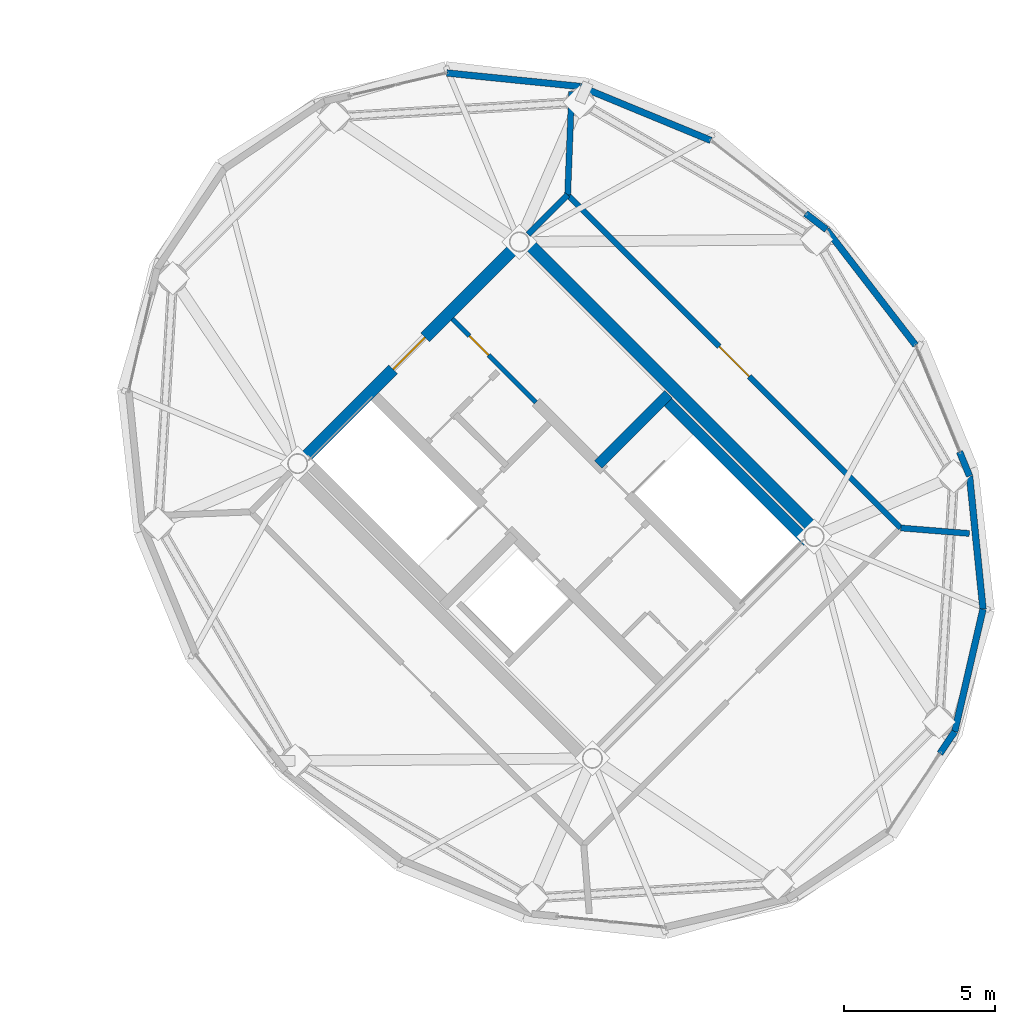
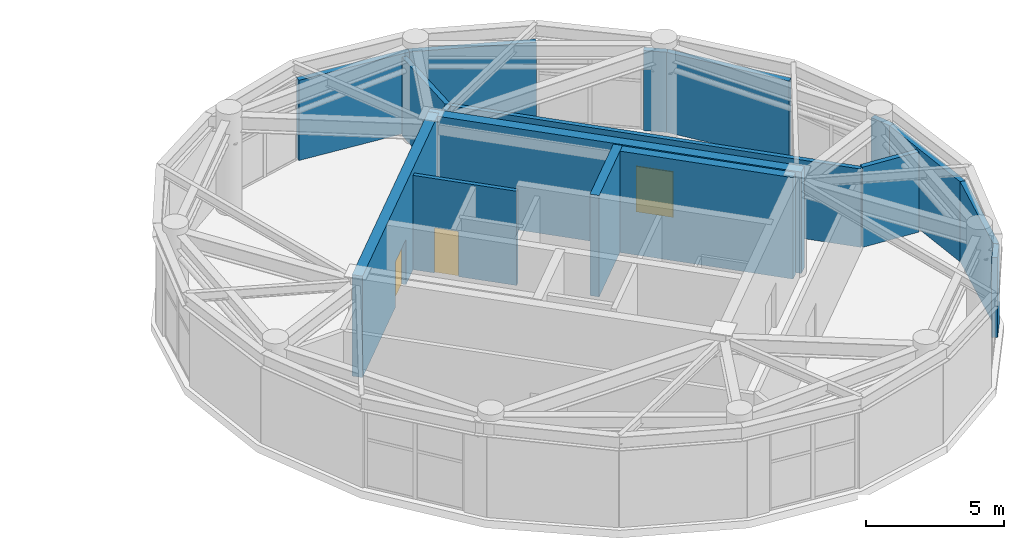
# One storey, part 25 of 26: 17 walls, 3 doors, 3 openings.
"""IFC4 building model written with IfcOpenShell, lengths in metres."""

from ifc_helpers import new_model, si_unit, direction, frame, frame_2d, origin, place, context, subcontext, project, spatial, rectangle, extrude, source, transform, mapped, material, layer, layer_set, type_object, element, fill, save


model = new_model("IFC4")

# Units and contexts
model_context = context("Model", 3, precision=1e-05, world=origin(), true_north=direction((0.0, 1.0)))
body_context = subcontext(model_context, "Body", "Model", "MODEL_VIEW")
ifc_project = project(units=[si_unit("LENGTHUNIT", "METRE"), si_unit("AREAUNIT", "SQUARE_METRE"), si_unit("VOLUMEUNIT", "CUBIC_METRE"), si_unit("PLANEANGLEUNIT", "RADIAN"), si_unit("MASSUNIT", "GRAM", prefix="KILO")], contexts=[model_context])

# Site, building, storey
site_placement = place(None, origin())
site = spatial("IfcSite", under=ifc_project, at=site_placement, CompositionType="ELEMENT")
building_placement = place(site_placement, origin())
building = spatial("IfcBuilding", under=site, at=building_placement, Name="Cununo Teusaquillo Station Towers", CompositionType="ELEMENT")
storey_placement = place(building_placement, frame((0.0, 0.0, 240.330078125)))
storey = spatial("IfcBuildingStorey", under=building, at=storey_placement, Name="L76", CompositionType="ELEMENT", Elevation=240.330078125)

# Walls
ifc_material_1 = material(Name="Concrete C50/60", Category="concrete")
ifc_layer_1 = layer(ifc_material_1, 0.35009765625)
ifc_layer_set_1 = layer_set([ifc_layer_1], Name="Concrete C50/60")
wall_type_1 = type_object("IfcWallType", Name="WL-CORE-350", PredefinedType="SHEAR", material=ifc_layer_set_1)
wall_1_placement = place(storey_placement, frame((65.81201171875, 23.124755859375, 0.0), z_axis=(0.0, 0.0, 1.0), x_axis=(-0.707106781187, 0.707106781187, 0.0)))
element("IfcWall", 1, at=wall_1_placement, inside=storey, type_object=wall_type_1, Name="L76 Tower B Core Shear Wall ST2E", PredefinedType="SHEAR", context=body_context, shape_type="SweptSolid", body=[
    extrude(rectangle(XDim=6.695068359375, YDim=0.35009765625, at=frame_2d((3.34765625, 0.0))), origin(), (0.0, 0.0, 1.0), 4.5),
])
wall_2_placement = place(storey_placement, frame((58.89306640625, 25.673828125, 0.0), z_axis=(0.0, 0.0, 1.0), x_axis=(0.707106781187, 0.707106781187, 0.0)))
element("IfcWall", 2, at=wall_2_placement, inside=storey, type_object=wall_type_1, Name="L76 Tower B Core Shear Wall ST2N", PredefinedType="SHEAR", context=body_context, shape_type="SweptSolid", body=[
    extrude(rectangle(XDim=3.284912109375, YDim=0.35009765625, at=frame_2d((1.642578125, 0.0))), origin(), (0.0, 0.0, 1.0), 4.5),
])
ifc_material_2 = material(Name="Concrete C50/60", Category="concrete")
ifc_layer_2 = layer(ifc_material_2, 0.39990234375)
ifc_layer_set_2 = layer_set([ifc_layer_2], Name="Concrete C50/60")
wall_type_2 = type_object("IfcWallType", Name="WL-CORE-400", PredefinedType="SHEAR", material=ifc_layer_set_2)
wall_3_placement = place(storey_placement, frame((66.26806640625, 23.2978515625, 0.0), z_axis=(0.0, 0.0, 1.0), x_axis=(-0.707106781187, 0.707106781187, 0.0)))
element("IfcWall", 3, at=wall_3_placement, inside=storey, type_object=wall_type_2, Name="L76 Tower B Core Shear Wall E", PredefinedType="SHEAR", context=body_context, shape_type="SweptSolid", body=[
    extrude(rectangle(XDim=14.10009765625, YDim=0.39990234375, at=frame_2d((7.050048828125, 0.0))), origin(), (0.0, 0.0, 1.0), 4.5),
])

# Wall, opening, door
wall_4_placement = place(storey_placement, frame((48.873291015625, 25.560791015625, 0.0), z_axis=(0.0, 0.0, 1.0), x_axis=(0.707106781187, 0.707106781187, 0.0)))
wall_4 = element("IfcWall", 4, at=wall_4_placement, inside=storey, type_object=wall_type_2, Name="L76 Tower B Core Shear Wall N", PredefinedType="SHEAR", context=body_context, shape_type="SweptSolid", body=[
    extrude(rectangle(XDim=10.69970703125, YDim=0.39990234375, at=frame_2d((5.349853515625, 0.0))), origin(), (0.0, 0.0, 1.0), 4.5),
])
shared_shape_1 = source(origin(), body_context, "Body", "SweptSolid", [
    extrude(rectangle(XDim=1.5, YDim=2.02001953125, at=frame_2d((0.75, 1.010009765625))), frame((0.0, 0.2099609375, 0.0), z_axis=(0.0, -1.0, 0.0), x_axis=(1.0, 0.0, 0.0)), (0.0, 0.0, 1.0), 0.419921875),
])
opening_1_placement = place(wall_4_placement, frame((4.60009765625, 0.0, 0.0)))
opening_1 = element("IfcOpeningElement", 5, at=opening_1_placement, cuts=wall_4, Name="Opening D-LB1", PredefinedType="OPENING", context=body_context, shape_type="MappedRepresentation", body=[
    mapped(shared_shape_1, transform((0.0, 0.0, 0.0), x_axis=(1.0, 0.0, 0.0), y_axis=(0.0, 1.0, 0.0), z_axis=(0.0, 0.0, 1.0), scale=1.0)),
])
ifc_material_3 = material(Name="Galvanised fire-rated hollow steel door assembly", Category="steel")
door_type_1 = type_object("IfcDoorType", Name="DR-LOBBY-1500", OperationType="DOUBLE_DOOR_SINGLE_SWING", PredefinedType="DOOR", material=ifc_material_3)
shared_shape_2 = source(origin(), body_context, "Body", "SweptSolid", [
    extrude(rectangle(XDim=1.5, YDim=2.02001953125, at=frame_2d((0.75, 1.010009765625))), frame((0.0, 0.02490234375, 0.0), z_axis=(0.0, -1.0, 0.0), x_axis=(1.0, 0.0, 0.0)), (0.0, 0.0, 1.0), 0.050048828125),
])
door_1_placement = place(opening_1_placement, origin())
door_1 = element("IfcDoor", 6, at=door_1_placement, inside=storey, type_object=door_type_1, Name="L76 Tower B North Core Lift Lobby Door", OperationType="DOUBLE_DOOR_SINGLE_SWING", OverallHeight=2.02001953125, OverallWidth=1.5, PredefinedType="DOOR", context=body_context, shape_type="MappedRepresentation", body=[
    mapped(shared_shape_2, transform((0.0, 0.0, 0.0), x_axis=(1.0, 0.0, 0.0), y_axis=(0.0, 1.0, 0.0), z_axis=(0.0, 0.0, 1.0), scale=1.0)),
])
fill(opening_1, door_1)

# Walls
ifc_material_4 = material(Name="Precast concrete C40/50", Category="concrete")
ifc_layer_3 = layer(ifc_material_4, 0.219970703125)
ifc_layer_set_3 = layer_set([ifc_layer_3], Name="Precast concrete C40/50")
wall_type_3 = type_object("IfcWallType", Name="WL-EXT-220", PredefinedType="SOLIDWALL", material=ifc_layer_set_3)
wall_5_placement = place(storey_placement, frame((65.74169921875, 33.9619140625, 0.0), z_axis=(0.0, 0.0, 1.0), x_axis=(0.792154336817, -0.610320822734, 0.0)))
element("IfcWall", 7, at=wall_5_placement, inside=storey, type_object=wall_type_3, Name="L76 Tower B Crown Drum Pier Cassette C00-PB", PredefinedType="SOLIDWALL", context=body_context, shape_type="SweptSolid", body=[
    extrude(rectangle(XDim=0.8701171875, YDim=0.219970703125, at=frame_2d((0.43505859375, 0.0))), origin(), (0.0, 0.0, 1.0), 3.555908203125),
])
wall_6_placement = place(storey_placement, frame((58.29541015625, 38.15478515625, 0.0), z_axis=(0.0, 0.0, 1.0), x_axis=(0.924447353237, -0.381309704956, 0.0)))
element("IfcWall", 8, at=wall_6_placement, inside=storey, type_object=wall_type_3, Name="L76 Tower B Crown Drum Spandrel Cassette C01", PredefinedType="SOLIDWALL", context=body_context, shape_type="SweptSolid", body=[
    extrude(rectangle(XDim=4.670654296875, YDim=0.219970703125, at=frame_2d((2.33544921875, 0.0))), origin(), (0.0, 0.0, 1.0), 3.555908203125),
])
wall_7_placement = place(storey_placement, frame((53.899658203125, 38.59912109375, 0.0), z_axis=(0.0, 0.0, 1.0), x_axis=(0.994929930991, -0.100570534541, 0.0)))
element("IfcWall", 9, at=wall_7_placement, inside=storey, type_object=wall_type_3, Name="L76 Tower B Crown Drum Spandrel Cassette C02", PredefinedType="SOLIDWALL", context=body_context, shape_type="SweptSolid", body=[
    extrude(rectangle(XDim=4.418212890625, YDim=0.219970703125, at=frame_2d((2.208984375, 0.0))), origin(), (0.0, 0.0, 1.0), 3.555908203125),
])
wall_8_placement = place(storey_placement, frame((70.663330078125, 16.856201171875, 0.0), z_axis=(0.0, 0.0, 1.0), x_axis=(-0.559482492851, -0.828842168446, 0.0)))
element("IfcWall", 10, at=wall_8_placement, inside=storey, type_object=wall_type_3, Name="L76 Tower B Crown Drum Pier Cassette C15-PA", PredefinedType="SOLIDWALL", context=body_context, shape_type="SweptSolid", body=[
    extrude(rectangle(XDim=0.8701171875, YDim=0.219970703125, at=frame_2d((0.43505859375, 0.0))), origin(), (0.0, 0.0, 1.0), 3.555908203125),
])
wall_9_placement = place(storey_placement, frame((71.59912109375, 20.899658203125, 0.0), z_axis=(0.0, 0.0, 1.0), x_axis=(-0.225473813158, -0.974249228678, 0.0)))
element("IfcWall", 11, at=wall_9_placement, inside=storey, type_object=wall_type_3, Name="L76 Tower B Crown Drum Spandrel Cassette C16", PredefinedType="SOLIDWALL", context=body_context, shape_type="SweptSolid", body=[
    extrude(rectangle(XDim=4.150390625, YDim=0.219970703125, at=frame_2d((2.0751953125, 0.0))), origin(), (0.0, 0.0, 1.0), 3.555908203125),
])
wall_10_placement = place(storey_placement, frame((71.15478515625, 25.29541015625, 0.0), z_axis=(0.0, 0.0, 1.0), x_axis=(0.100570534541, -0.994929930991, 0.0)))
element("IfcWall", 12, at=wall_10_placement, inside=storey, type_object=wall_type_3, Name="L76 Tower B Crown Drum Spandrel Cassette C17", PredefinedType="SOLIDWALL", context=body_context, shape_type="SweptSolid", body=[
    extrude(rectangle(XDim=4.418212890625, YDim=0.219970703125, at=frame_2d((2.208984375, 0.0))), origin(), (0.0, 0.0, 1.0), 3.555908203125),
])
wall_11_placement = place(storey_placement, frame((70.8232421875, 26.099609375, 0.0), z_axis=(0.0, 0.0, 1.0), x_axis=(0.381145028536, -0.924515260676, 0.0)))
element("IfcWall", 13, at=wall_11_placement, inside=storey, type_object=wall_type_3, Name="L76 Tower B Crown Drum Pier Cassette C18-PB", PredefinedType="SOLIDWALL", context=body_context, shape_type="SweptSolid", body=[
    extrude(rectangle(XDim=0.869873046875, YDim=0.219970703125, at=frame_2d((0.43505859375, 0.0))), origin(), (0.0, 0.0, 1.0), 3.555908203125),
])
wall_12_placement = place(storey_placement, frame((66.430908203125, 33.430908203125, 0.0), z_axis=(0.0, 0.0, 1.0), x_axis=(0.610523083886, -0.791998462147, 0.0)))
element("IfcWall", 14, at=wall_12_placement, inside=storey, type_object=wall_type_3, Name="L76 Tower B Crown Drum Spandrel Cassette C19", PredefinedType="SOLIDWALL", context=body_context, shape_type="SweptSolid", body=[
    extrude(rectangle(XDim=4.8203125, YDim=0.219970703125, at=frame_2d((2.41015625, 0.0))), origin(), (0.0, 0.0, 1.0), 3.555908203125),
])

# Wall, opening, door
ifc_material_5 = material(Name="Fire-rated gypsum plasterboard partition assembly", Category="gypsum")
ifc_layer_4 = layer(ifc_material_5, 0.159912109375)
ifc_layer_set_4 = layer_set([ifc_layer_4], Name="Fire-rated gypsum plasterboard partition assembly")
wall_type_4 = type_object("IfcWallType", Name="WL-PART-160", PredefinedType="PARTITIONING", material=ifc_layer_set_4)
wall_13_placement = place(storey_placement, frame((56.8388671875, 27.727783203125, 0.0), z_axis=(0.0, 0.0, 1.0), x_axis=(-0.707106781187, 0.707106781187, 0.0)))
wall_13 = element("IfcWall", 15, at=wall_13_placement, inside=storey, type_object=wall_type_4, Name="L76 Tower B Reclaimed Core Bay Entry Wall", PredefinedType="PARTITIONING", context=body_context, shape_type="SweptSolid", body=[
    extrude(rectangle(XDim=3.900146484375, YDim=0.159912109375, at=frame_2d((1.9501953125, 0.0))), origin(), (0.0, 0.0, 1.0), 4.184814453125),
])
shared_shape_3 = source(origin(), body_context, "Body", "SweptSolid", [
    extrude(rectangle(XDim=0.89990234375, YDim=2.0048828125, at=frame_2d((0.449951171875, 1.00244140625))), frame((0.0, 0.08984375, 0.0), z_axis=(0.0, -1.0, 0.0), x_axis=(1.0, 0.0, 0.0)), (0.0, 0.0, 1.0), 0.179931640625),
])
opening_2_placement = place(wall_13_placement, frame((2.199951171875, 0.0, 0.0)))
opening_2 = element("IfcOpeningElement", 16, at=opening_2_placement, cuts=wall_13, Name="Opening D-IN1", PredefinedType="OPENING", context=body_context, shape_type="MappedRepresentation", body=[
    mapped(shared_shape_3, transform((0.0, 0.0, 0.0), x_axis=(1.0, 0.0, 0.0), y_axis=(0.0, 1.0, 0.0), z_axis=(0.0, 0.0, 1.0), scale=1.0)),
])
ifc_material_6 = material(Name="Acoustic solid-core hardwood leaf assembly", Category="wood")
door_type_2 = type_object("IfcDoorType", Name="DR-INT-900", OperationType="NOTDEFINED", PredefinedType="DOOR", material=ifc_material_6)
shared_shape_4 = source(origin(), body_context, "Body", "SweptSolid", [
    extrude(rectangle(XDim=0.89990234375, YDim=2.0048828125, at=frame_2d((0.449951171875, 1.00244140625))), frame((0.0, 0.02490234375, 0.0), z_axis=(0.0, -1.0, 0.0), x_axis=(1.0, 0.0, 0.0)), (0.0, 0.0, 1.0), 0.050048828125),
])
door_2_placement = place(opening_2_placement, origin())
door_2 = element("IfcDoor", 17, at=door_2_placement, inside=storey, type_object=door_type_2, Name="L76 Tower B Reclaimed Core Lounge Door", OperationType="SINGLE_SWING_RIGHT", OverallHeight=2.0048828125, OverallWidth=0.89990234375, PredefinedType="DOOR", context=body_context, shape_type="MappedRepresentation", body=[
    mapped(shared_shape_4, transform((0.0, 0.0, 0.0), x_axis=(1.0, 0.0, 0.0), y_axis=(0.0, 1.0, 0.0), z_axis=(0.0, 0.0, 1.0), scale=1.0)),
])
fill(opening_2, door_2)

ifc_material_7 = material(Name="Fire-rated gypsum plasterboard partition assembly", Category="gypsum")
ifc_layer_5 = layer(ifc_material_7, 0.179931640625)
ifc_layer_set_5 = layer_set([ifc_layer_5], Name="Fire-rated gypsum plasterboard partition assembly")
wall_type_5 = type_object("IfcWallType", Name="WL-PART-180", PredefinedType="PARTITIONING", material=ifc_layer_set_5)
wall_14_placement = place(storey_placement, frame((68.884521484375, 23.580810546875, 0.0), z_axis=(0.0, 0.0, 1.0), x_axis=(-0.707106781187, 0.707106781187, 0.0)))
wall_14 = element("IfcWall", 18, at=wall_14_placement, inside=storey, type_object=wall_type_5, Name="L76 Tower B Crown Corridor Wall E", PredefinedType="PARTITIONING", context=body_context, shape_type="SweptSolid", body=[
    extrude(rectangle(XDim=15.550048828125, YDim=0.179931640625, at=frame_2d((7.77490234375, 0.0))), origin(), (0.0, 0.0, 1.0), 3.475830078125),
])
shared_shape_5 = source(origin(), body_context, "Body", "SweptSolid", [
    extrude(rectangle(XDim=1.39990234375, YDim=2.02001953125, at=frame_2d((0.699951171875, 1.010009765625))), frame((0.0, 0.099853515625, 0.0), z_axis=(0.0, -1.0, 0.0), x_axis=(1.0, 0.0, 0.0)), (0.0, 0.0, 1.0), 0.199951171875),
])
opening_3_placement = place(wall_14_placement, frame((7.074951171875, 0.0, 0.0)))
opening_3 = element("IfcOpeningElement", 19, at=opening_3_placement, cuts=wall_14, Name="Opening D-PL1", PredefinedType="OPENING", context=body_context, shape_type="MappedRepresentation", body=[
    mapped(shared_shape_5, transform((0.0, 0.0, 0.0), x_axis=(1.0, 0.0, 0.0), y_axis=(0.0, 1.0, 0.0), z_axis=(0.0, 0.0, 1.0), scale=1.0)),
])
ifc_material_8 = material(Name="Galvanised fire-rated hollow steel door assembly", Category="steel")
door_type_3 = type_object("IfcDoorType", Name="DR-PLANT-1400", OperationType="NOTDEFINED", PredefinedType="DOOR", material=ifc_material_8)
shared_shape_6 = source(origin(), body_context, "Body", "SweptSolid", [
    extrude(rectangle(XDim=1.39990234375, YDim=2.02001953125, at=frame_2d((0.699951171875, 1.010009765625))), frame((0.0, 0.02490234375, 0.0), z_axis=(0.0, -1.0, 0.0), x_axis=(1.0, 0.0, 0.0)), (0.0, 0.0, 1.0), 0.050048828125),
])
door_3_placement = place(opening_3_placement, origin())
door_3 = element("IfcDoor", 20, at=door_3_placement, inside=storey, type_object=door_type_3, Name="L76 Tower B Crown Room E Double Door", OperationType="SINGLE_SWING_LEFT", OverallHeight=2.02001953125, OverallWidth=1.39990234375, PredefinedType="DOOR", context=body_context, shape_type="MappedRepresentation", body=[
    mapped(shared_shape_6, transform((0.0, 0.0, 0.0), x_axis=(1.0, 0.0, 0.0), y_axis=(0.0, 1.0, 0.0), z_axis=(0.0, 0.0, 1.0), scale=1.0)),
])
fill(opening_3, door_3)

# Walls
ifc_material_9 = material(Name="Fire-rated gypsum plasterboard partition assembly", Category="gypsum")
ifc_layer_6 = layer(ifc_material_9, 0.199951171875)
ifc_layer_set_6 = layer_set([ifc_layer_6], Name="Fire-rated gypsum plasterboard partition assembly")
wall_type_6 = type_object("IfcWallType", Name="WL-PART-200", PredefinedType="PARTITIONING", material=ifc_layer_set_6)
wall_15_placement = place(storey_placement, frame((56.580810546875, 33.26806640625, 0.0), z_axis=(0.0, 0.0, 1.0), x_axis=(0.707040798191, 0.707172758026, 0.0)))
element("IfcWall", 21, at=wall_15_placement, inside=storey, type_object=wall_type_6, Name="L76 Tower B Crown North Hall Wall NE", PredefinedType="PARTITIONING", context=body_context, shape_type="SweptSolid", body=[
    extrude(rectangle(XDim=1.85009765625, YDim=0.199951171875, at=frame_2d((0.925048828125, 0.0))), origin(), (0.0, 0.0, 1.0), 3.475830078125),
])
wall_16_placement = place(storey_placement, frame((57.888916015625, 34.576416015625, 0.0), z_axis=(0.0, 0.0, 1.0), x_axis=(0.038606420501, 0.999254494259, 0.0)))
element("IfcWall", 22, at=wall_16_placement, inside=storey, type_object=wall_type_6, Name="L76 Tower B Crown Radial Wall Q2", PredefinedType="PARTITIONING", context=body_context, shape_type="SweptSolid", body=[
    extrude(rectangle(XDim=3.408447265625, YDim=0.199951171875, at=frame_2d((1.7041015625, 0.0))), origin(), (0.0, 0.0, 1.0), 3.475830078125),
])
wall_17_placement = place(storey_placement, frame((68.884521484375, 23.580810546875, 0.0), z_axis=(0.0, 0.0, 1.0), x_axis=(0.996754503146, -0.080501307187, 0.0)))
element("IfcWall", 23, at=wall_17_placement, inside=storey, type_object=wall_type_6, Name="L76 Tower B Crown Radial Wall Q3", PredefinedType="PARTITIONING", context=body_context, shape_type="SweptSolid", body=[
    extrude(rectangle(XDim=2.271484375, YDim=0.199951171875, at=frame_2d((1.1357421875, 0.0))), origin(), (0.0, 0.0, 1.0), 3.555908203125),
])

save(model, "model.ifc")
